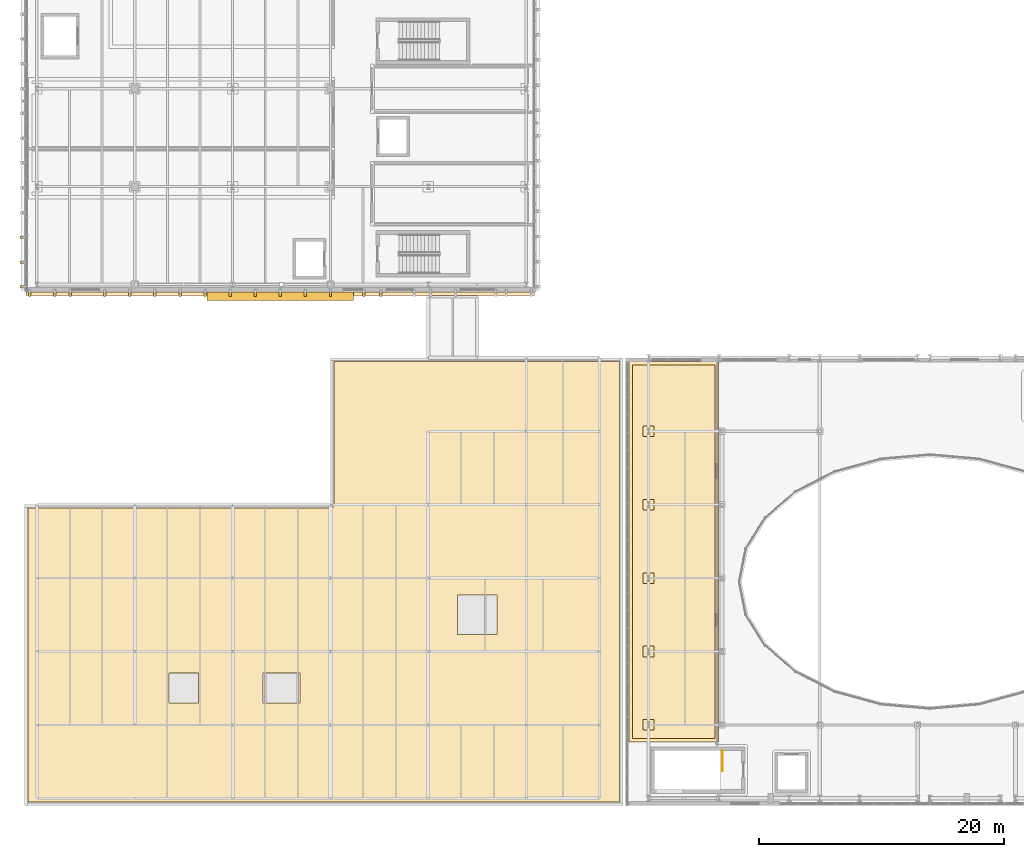
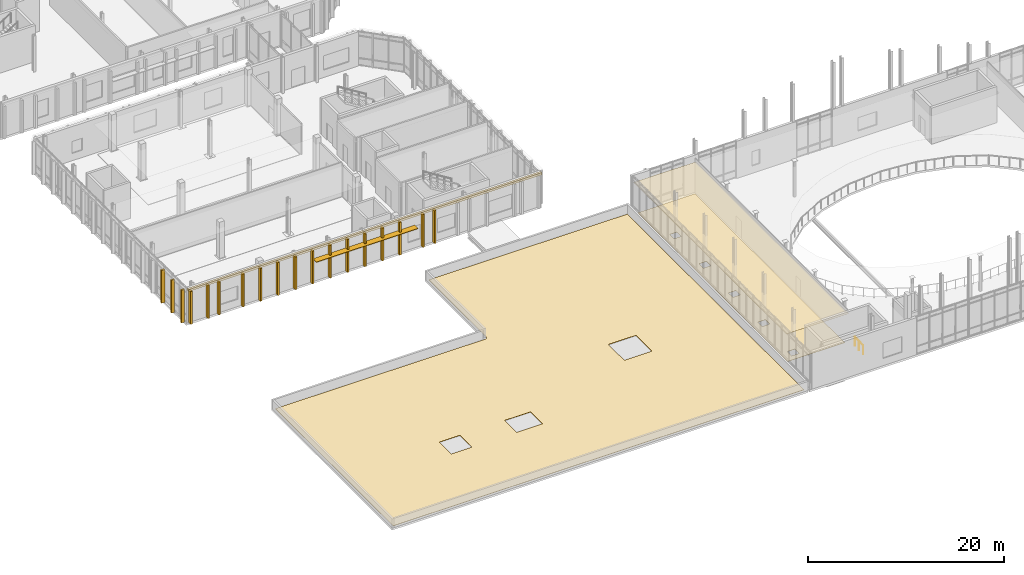
# One storey, part 72 of 86: 22 coverings, 1 railing, 1 shading device.
"""IFC4 building model written with IfcOpenShell, lengths in metres."""

from ifc_helpers import new_model, si_unit, direction, frame, origin, origin_2d, place, context, subcontext, project, spatial, polyline, rectangle, circle, outline, extrude, material, layer, layer_set, type_object, element, save


model = new_model("IFC4")

# Units and contexts
model_context = context("Model", 3, precision=1e-05, world=origin(), true_north=direction((0.0, 1.0)))
body_context = subcontext(model_context, "Body", "Model", "MODEL_VIEW")
ifc_project = project(units=[si_unit("LENGTHUNIT", "METRE"), si_unit("AREAUNIT", "SQUARE_METRE"), si_unit("VOLUMEUNIT", "CUBIC_METRE"), si_unit("PLANEANGLEUNIT", "RADIAN"), si_unit("MASSUNIT", "GRAM", prefix="KILO")], contexts=[model_context])

# Site, building, storey
site_placement = place(None, origin())
site = spatial("IfcSite", under=ifc_project, at=site_placement, CompositionType="ELEMENT")
building_placement = place(site_placement, origin())
building = spatial("IfcBuilding", under=site, at=building_placement, Name="Cymarion Research Institute", CompositionType="ELEMENT")
storey_placement = place(building_placement, frame((0.0, 0.0, 13.800048828125)))
storey = spatial("IfcBuildingStorey", under=building, at=storey_placement, Name="L03", CompositionType="ELEMENT", Elevation=13.800048828125)

# Covering
ifc_material_1 = material(Name="Micro-perforated mineral acoustic ceiling tile", Category="gypsum")
ifc_layer_1 = layer(ifc_material_1, 0.030029296875)
ifc_layer_set_1 = layer_set([ifc_layer_1], Name="Micro-perforated mineral acoustic ceiling tile")
covering_type_1 = type_object("IfcCoveringType", Name="ACOUSTIC MICRO-PERFORATED SUSPENDED CEILING CLG-01", PredefinedType="CEILING", material=ifc_layer_set_1)
covering_1_placement = place(storey_placement, frame((0.0, 0.0, 3.699951171875)))
element("IfcCovering", 1, at=covering_1_placement, inside=storey, type_object=covering_type_1, Name="L03 L03 West Interdisciplinary Bioinformatics Lab & Studio acoustic ceiling", PredefinedType="CEILING", context=body_context, shape_type="SweptSolid", body=[
    extrude(outline(polyline([(62.31494140625, 41.215087890625), (62.31494140625, 10.0849609375), (54.985107421875, 10.0849609375), (54.985107421875, 41.215087890625), (62.31494140625, 41.215087890625)])), origin(), (0.0, 0.0, 1.0), 0.030029296875),
])

# Shading device
ifc_material_2 = material(Name="Anodised aluminium aerofoil sunshade", Category="aluminium")
ifc_layer_2 = layer(ifc_material_2, 0.06005859375)
ifc_layer_set_2 = layer_set([ifc_layer_2], Name="Anodised aluminium aerofoil sunshade")
shading_device_type = type_object("IfcShadingDeviceType", Name="ANODISED ALUMINIUM HORIZONTAL SUNSHADE SHD1 700MM", PredefinedType="AWNING", material=ifc_layer_set_2)
shading_device_placement = place(storey_placement, frame((26.5, 46.548095703125, 2.7900390625), z_axis=(0.0, 0.0, 1.0), x_axis=(0.0, -1.0, 0.0)))
element("IfcShadingDevice", 2, at=shading_device_placement, inside=storey, type_object=shading_device_type, Name="L03 V4 south aluminium sunshade SHD1 #7", PredefinedType="AWNING", context=body_context, shape_type="SweptSolid", body=[
    extrude(rectangle(XDim=0.699951171875, YDim=12.0, at=origin_2d()), origin(), (0.0, 0.0, 1.0), 0.06005859375),
])

# Railing
ifc_material_3 = material(Name="Steel S355", Category="steel")
railing_type = type_object("IfcRailingType", Name="PAINTED STEEL STAIR GUARDRAIL GR1 1100MM", PredefinedType="GUARDRAIL", material=ifc_material_3)
railing_placement = place(storey_placement, frame((62.64990234375, 9.39990234375, 0.0)))
element("IfcRailing", 3, at=railing_placement, inside=storey, type_object=railing_type, Name="L03 ST3 top well guard 1", PredefinedType="GUARDRAIL", context=body_context, shape_type="SweptSolid", body=[
    extrude(circle(Radius=0.02392578125, at=origin_2d()), frame((0.0, 0.0, 1.076171875), z_axis=(0.0, -1.0, 0.0), x_axis=(1.0, 0.0, 0.0)), (0.0, 0.0, 1.0), 1.679931640625),
    extrude(circle(Radius=0.02099609375, at=origin_2d()), origin(), (0.0, 0.0, 1.0), 1.052001953125),
    extrude(circle(Radius=0.02099609375, at=origin_2d()), frame((0.0, -0.83984375, 0.0)), (0.0, 0.0, 1.0), 1.052001953125),
    extrude(circle(Radius=0.02099609375, at=origin_2d()), frame((0.0, -1.679931640625, 0.0)), (0.0, 0.0, 1.0), 1.052001953125),
])

# Coverings
ifc_material_4 = material(Name="Precast concrete C45/55 architectural white", Category="concrete")
ifc_layer_3 = layer(ifc_material_4, 0.260009765625)
ifc_layer_set_3 = layer_set([ifc_layer_3], Name="Precast concrete C45/55 architectural white")
covering_type_2 = type_object("IfcCoveringType", Name="SCULPTURAL WHITE PRECAST CONCRETE SPANDREL BROW BAND RIB2 280MM", PredefinedType="CLADDING", material=ifc_layer_set_3)
covering_2_placement = place(storey_placement, frame((26.5, 46.758056640625, 4.08984375), z_axis=(0.0, 0.0, 1.0), x_axis=(0.0, -1.0, 0.0)))
element("IfcCovering", 4, at=covering_2_placement, inside=storey, type_object=covering_type_2, Name="L03 V4 precast spandrel brow band RIB2 #665", PredefinedType="CLADDING", context=body_context, shape_type="SweptSolid", body=[
    extrude(rectangle(XDim=0.280029296875, YDim=41.56005859375, at=origin_2d()), origin(), (0.0, 0.0, 1.0), 0.260009765625),
])
ifc_layer_4 = layer(ifc_material_4, 0.199951171875)
ifc_layer_set_4 = layer_set([ifc_layer_4], Name="Precast concrete C45/55 architectural white")
covering_type_3 = type_object("IfcCoveringType", Name="SCULPTURAL WHITE PRECAST CONCRETE VERTICAL RIB RIB1 380X200", PredefinedType="CLADDING", material=ifc_layer_set_4)
for number, where, z_axis, x_axis, name in (
    (5, (6.0, 46.7080078125, 0.009765625), (0.0, 0.0, 1.0), (0.0, -1.0, 0.0), "L03 V4 sculptural precast vertical rib RIB1 #666"),
    (6, (8.050048828125, 46.7080078125, 0.009765625), (0.0, 0.0, 1.0), (0.0, -1.0, 0.0), "L03 V4 sculptural precast vertical rib RIB1 #667"),
    (7, (9.340087890625, 46.7080078125, 0.009765625), (0.0, 0.0, 1.0), (0.0, -1.0, 0.0), "L03 V4 sculptural precast vertical rib RIB1 #668"),
    (8, (12.14990234375, 46.7080078125, 0.009765625), (0.0, 0.0, 1.0), (0.0, -1.0, 0.0), "L03 V4 sculptural precast vertical rib RIB1 #669"),
    (9, (14.199951171875, 46.7080078125, 0.009765625), (0.0, 0.0, 1.0), (0.0, -1.0, 0.0), "L03 V4 sculptural precast vertical rib RIB1 #670"),
    (10, (16.25, 46.7080078125, 0.009765625), (0.0, 0.0, 1.0), (0.0, -1.0, 0.0), "L03 V4 sculptural precast vertical rib RIB1 #671"),
    (11, (18.300048828125, 46.7080078125, 0.009765625), (0.0, 0.0, 1.0), (0.0, -1.0, 0.0), "L03 V4 sculptural precast vertical rib RIB1 #672"),
    (12, (20.35009765625, 46.7080078125, 0.009765625), (0.0, 0.0, 1.0), (0.0, -1.0, 0.0), "L03 V4 sculptural precast vertical rib RIB1 #673"),
    (13, (22.39990234375, 46.7080078125, 0.009765625), (0.0, 0.0, 1.0), (0.0, -1.0, 0.0), "L03 V4 sculptural precast vertical rib RIB1 #674"),
    (14, (24.449951171875, 46.7080078125, 0.009765625), (0.0, 0.0, 1.0), (0.0, -1.0, 0.0), "L03 V4 sculptural precast vertical rib RIB1 #675"),
    (15, (26.5, 46.7080078125, 0.009765625), (0.0, 0.0, 1.0), (0.0, -1.0, 0.0), "L03 V4 sculptural precast vertical rib RIB1 #676"),
    (16, (28.550048828125, 46.7080078125, 0.009765625), (0.0, 0.0, 1.0), (0.0, -1.0, 0.0), "L03 V4 sculptural precast vertical rib RIB1 #677"),
    (17, (30.60009765625, 46.7080078125, 0.009765625), (0.0, 0.0, 1.0), (0.0, -1.0, 0.0), "L03 V4 sculptural precast vertical rib RIB1 #678"),
    (18, (33.330078125, 46.7080078125, 0.009765625), (0.0, 0.0, 1.0), (0.0, -1.0, 0.0), "L03 V4 sculptural precast vertical rib RIB1 #679"),
    (19, (34.699951171875, 46.7080078125, 0.009765625), (0.0, 0.0, 1.0), (0.0, -1.0, 0.0), "L03 V4 sculptural precast vertical rib RIB1 #680"),
    (20, (5.407958984375, 51.353271484375, 0.009765625), (0.0, 0.0, 1.0), (-1.0, 0.0, 0.0), "L03 V4 sculptural precast vertical rib RIB1 #739"),
    (21, (5.407958984375, 49.32666015625, 0.009765625), (0.0, 0.0, 1.0), (-1.0, 0.0, 0.0), "L03 V4 sculptural precast vertical rib RIB1 #740"),
    (22, (5.407958984375, 47.300048828125, 0.009765625), (0.0, 0.0, 1.0), (-1.0, 0.0, 0.0), "L03 V4 sculptural precast vertical rib RIB1 #741"),
):
    element("IfcCovering", number, at=place(storey_placement, frame(where, z_axis=z_axis, x_axis=x_axis)), inside=storey, type_object=covering_type_3, Name=name, PredefinedType="CLADDING", context=body_context, shape_type="SweptSolid", body=[
        extrude(rectangle(XDim=0.3798828125, YDim=0.199951171875, at=origin_2d()), origin(), (0.0, 0.0, 1.0), 4.074951171875),
    ])
ifc_material_5 = material(Name="Seamless dissipative epoxy resin flooring", Category="resin")
ifc_layer_5 = layer(ifc_material_5, 0.02001953125)
ifc_layer_set_5 = layer_set([ifc_layer_5], Name="Seamless dissipative epoxy resin flooring")
covering_type_4 = type_object("IfcCoveringType", Name="SEAMLESS ESD EPOXY LABORATORY FLOORING FLR-01", PredefinedType="FLOORING", material=ifc_layer_set_5)
covering_3_placement = place(storey_placement, origin())
element("IfcCovering", 23, at=covering_3_placement, inside=storey, type_object=covering_type_4, Name="L03 L03 West Interdisciplinary Bioinformatics Lab & Studio ESD epoxy flooring", PredefinedType="FLOORING", context=body_context, shape_type="SweptSolid", body=[
    extrude(outline(polyline([(55.284912109375, 40.9150390625), (62.014892578125, 40.9150390625), (62.014892578125, 10.385009765625), (55.284912109375, 10.385009765625), (55.284912109375, 40.9150390625)]), holes=[polyline([(56.1650390625, 23.93505859375), (56.1650390625, 23.06494140625), (57.034912109375, 23.06494140625), (57.034912109375, 23.93505859375), (56.1650390625, 23.93505859375)]), polyline([(56.1650390625, 35.93505859375), (56.1650390625, 35.06494140625), (57.034912109375, 35.06494140625), (57.034912109375, 35.93505859375), (56.1650390625, 35.93505859375)]), polyline([(57.034912109375, 11.93505859375), (56.1650390625, 11.93505859375), (56.1650390625, 11.06494140625), (57.034912109375, 11.06494140625), (57.034912109375, 11.93505859375)]), polyline([(57.034912109375, 17.93505859375), (56.1650390625, 17.93505859375), (56.1650390625, 17.06494140625), (57.034912109375, 17.06494140625), (57.034912109375, 17.93505859375)]), polyline([(57.034912109375, 29.93505859375), (56.1650390625, 29.93505859375), (56.1650390625, 29.06494140625), (57.034912109375, 29.06494140625), (57.034912109375, 29.93505859375)])]), origin(), (0.0, 0.0, 1.0), 0.02001953125),
])
ifc_material_6 = material(Name="Pre-weathered titanium-zinc standing seam roofing", Category="metal")
ifc_layer_6 = layer(ifc_material_6, 0.0400390625)
ifc_layer_set_6 = layer_set([ifc_layer_6], Name="Pre-weathered titanium-zinc standing seam roofing")
covering_type_5 = type_object("IfcCoveringType", Name="STANDING SEAM ZINC ROOF MEMBRANE COV-RF01", PredefinedType="ROOFING", material=ifc_layer_set_6)
covering_4_placement = place(storey_placement, origin())
element("IfcCovering", 24, at=covering_4_placement, inside=storey, type_object=covering_type_5, Name="L03 ROOF-L03-V3W standing-seam zinc roofing membrane", PredefinedType="ROOFING", context=body_context, shape_type="SweptSolid", body=[
    extrude(outline(polyline([(5.8798828125, 29.219970703125), (30.60009765625, 29.219970703125), (30.62744140625, 29.22119140625), (30.654541015625, 29.225341796875), (30.681396484375, 29.232177734375), (30.707275390625, 29.2412109375), (30.73193359375, 29.253173828125), (30.755615234375, 29.26708984375), (30.777587890625, 29.28369140625), (30.798095703125, 29.302001953125), (30.81640625, 29.322509765625), (30.832763671875, 29.344482421875), (30.846923828125, 29.367919921875), (30.858642578125, 29.392822265625), (30.867919921875, 29.418701171875), (30.87451171875, 29.4453125), (30.878662109375, 29.47265625), (30.8798828125, 29.5), (30.8798828125, 41.219970703125), (54.219970703125, 41.219970703125), (54.219970703125, 5.179931640625), (5.8798828125, 5.179931640625), (5.8798828125, 29.219970703125)]), holes=[polyline([(17.3798828125, 13.280029296875), (19.820068359375, 13.280029296875), (19.820068359375, 15.719970703125), (17.3798828125, 15.719970703125), (17.3798828125, 13.280029296875)]), polyline([(25.080078125, 15.719970703125), (25.080078125, 13.280029296875), (28.1201171875, 13.280029296875), (28.1201171875, 15.719970703125), (25.080078125, 15.719970703125)]), polyline([(40.97998046875, 22.1201171875), (40.97998046875, 18.8798828125), (44.219970703125, 18.8798828125), (44.219970703125, 22.1201171875), (40.97998046875, 22.1201171875)])]), origin(), (0.0, 0.0, 1.0), 0.0400390625),
])

save(model, "model.ifc")
